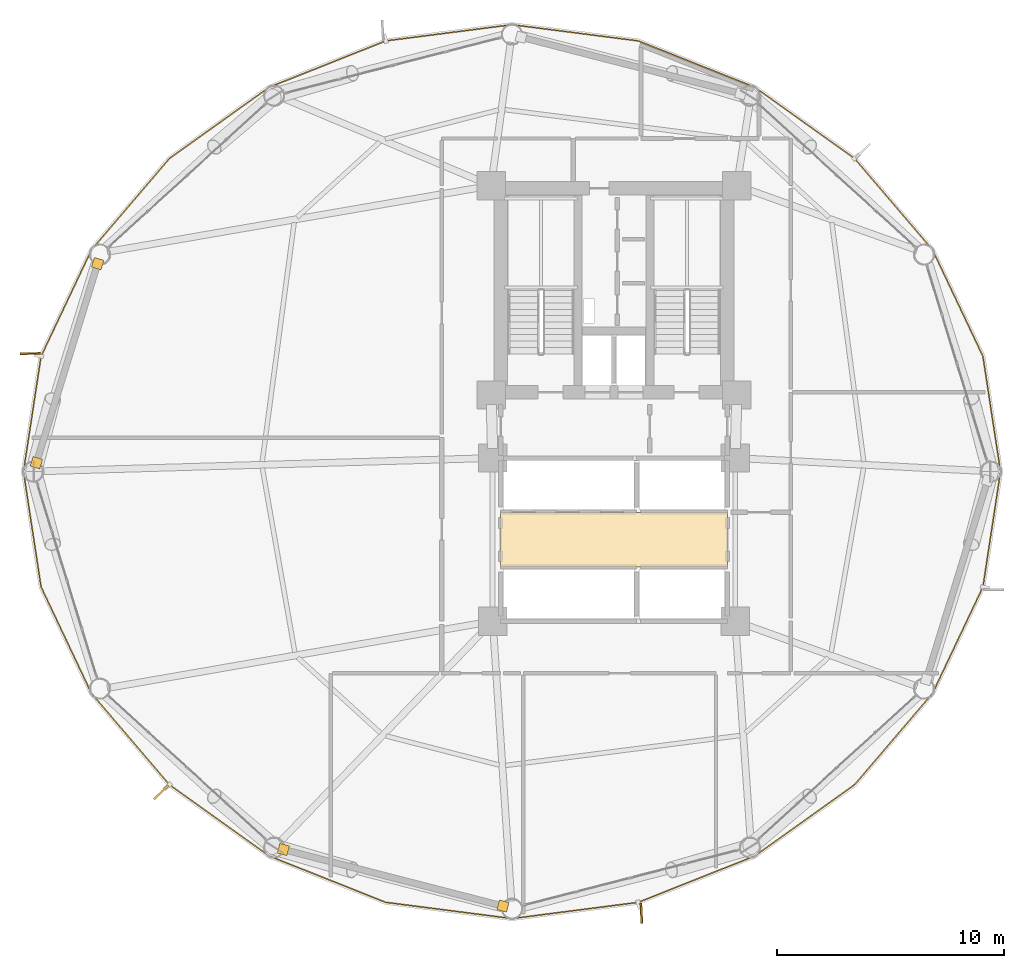
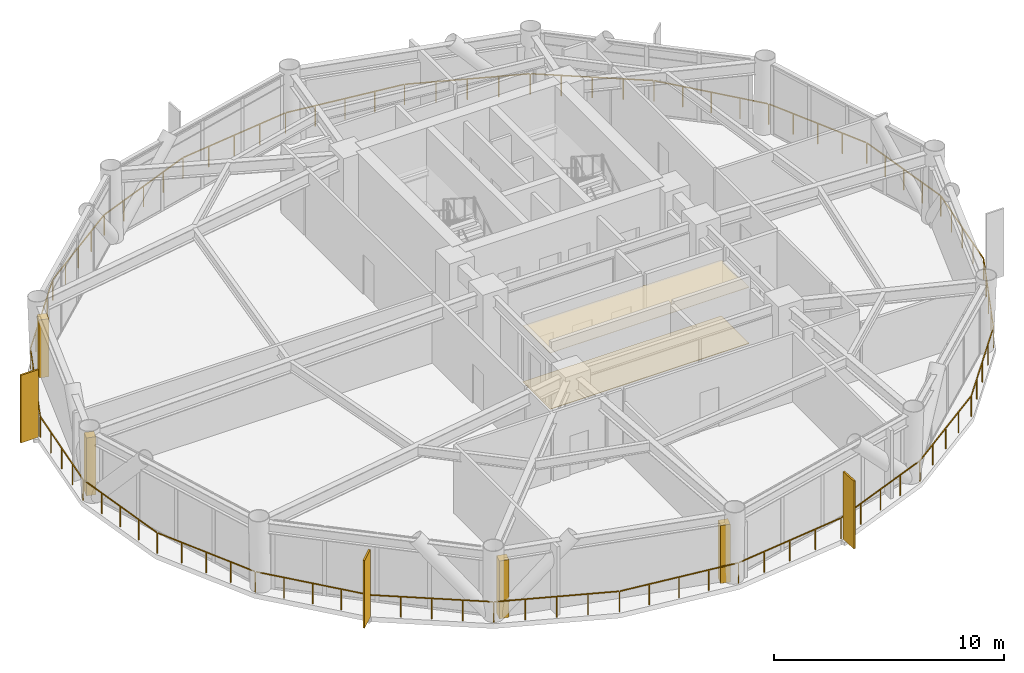
# One storey, part 24 of 26: 6 coverings, 3 shading devices, 1 railing.
"""IFC4 building model written with IfcOpenShell, lengths in metres."""

from ifc_helpers import new_model, si_unit, direction, frame, origin, origin_2d, place, context, subcontext, project, spatial, polyline, rectangle, outline, extrude, source, transform, mapped, material, layer, layer_set, type_object, type_shapes, element, save


model = new_model("IFC4")

# Units and contexts
model_context = context("Model", 3, precision=1e-05, world=origin(), true_north=direction((0.0, 1.0)))
body_context = subcontext(model_context, "Body", "Model", "MODEL_VIEW")
ifc_project = project(units=[si_unit("LENGTHUNIT", "METRE"), si_unit("AREAUNIT", "SQUARE_METRE"), si_unit("VOLUMEUNIT", "CUBIC_METRE"), si_unit("PLANEANGLEUNIT", "RADIAN"), si_unit("MASSUNIT", "GRAM", prefix="KILO")], contexts=[model_context])

# Site, building, storey
site_placement = place(None, origin())
site = spatial("IfcSite", under=ifc_project, at=site_placement, CompositionType="ELEMENT")
building_placement = place(site_placement, origin())
building = spatial("IfcBuilding", under=site, at=building_placement, Name="Varnakorn Sky Granary", CompositionType="ELEMENT")
storey_placement = place(building_placement, frame((0.0, 0.0, 51.0)))
storey = spatial("IfcBuildingStorey", under=building, at=storey_placement, Name="L12", CompositionType="ELEMENT", Elevation=51.0)

# Coverings
ifc_material_1 = material(Name="Perforated Acoustic Mineral-Fibre Ceiling", Category="gypsum")
ifc_layer_1 = layer(ifc_material_1, 0.02001953125, Name="Perforated Acoustic Mineral-Fibre Ceiling")
ifc_layer_set_1 = layer_set([ifc_layer_1], Name="Perforated Acoustic Mineral-Fibre Ceiling")
covering_type_1 = type_object("IfcCoveringType", Name="CV-CEIL-20", PredefinedType="CEILING", material=ifc_layer_set_1)
covering_1_placement = place(storey_placement, frame((0.0, 0.0, 2.989990234375)))
element("IfcCovering", 1, at=covering_1_placement, inside=storey, type_object=covering_type_1, Name="Lift Lobby Perforated Acoustic Ceiling L12", PredefinedType="CEILING", context=body_context, shape_type="SweptSolid", body=[
    extrude(outline(polyline([(-2.0, -4.199951171875), (8.0, -4.199951171875), (8.0, -1.800048828125), (-2.0, -1.800048828125), (-2.0, -4.199951171875)])), origin(), (0.0, 0.0, 1.0), 0.02001953125),
])
ifc_material_2 = material(Name="Honed Epoxy Terrazzo Topping", Category="concrete")
ifc_layer_2 = layer(ifc_material_2, 0.030029296875, Name="Honed Epoxy Terrazzo Topping")
ifc_layer_set_2 = layer_set([ifc_layer_2], Name="Honed Epoxy Terrazzo Topping")
covering_type_2 = type_object("IfcCoveringType", Name="CV-FLOR-30", PredefinedType="FLOORING", material=ifc_layer_set_2)
covering_2_placement = place(storey_placement, origin())
element("IfcCovering", 2, at=covering_2_placement, inside=storey, type_object=covering_type_2, Name="Lift Lobby Terrazzo Floor Finish L12", PredefinedType="FLOORING", context=body_context, shape_type="SweptSolid", body=[
    extrude(outline(polyline([(-2.0, -4.199951171875), (8.0, -4.199951171875), (8.0, -1.800048828125), (-2.0, -1.800048828125), (-2.0, -4.199951171875)])), origin(), (0.0, 0.0, 1.0), 0.030029296875),
])

# Railing
ifc_material_3 = material(Name="Anodised Bronze Aluminium Alloy 6063-T6", Category="aluminium")
railing_type = type_object("IfcRailingType", Name="RL-BAL-1120", PredefinedType="BALUSTRADE", material=ifc_material_3)
railing_placement = place(storey_placement, frame((20.056884765625, 0.0, 0.0)))
element("IfcRailing", 3, at=railing_placement, inside=storey, type_object=railing_type, Name="Perimeter Slab-Edge Safety Guard L12", PredefinedType="BALUSTRADE", context=body_context, shape_type="SweptSolid", body=[
    extrude(rectangle(XDim=0.048095703125, YDim=0.048095703125, at=origin_2d()), frame((-0.004150390625, -0.027587890625, 1.09619140625), z_axis=(-0.150895388181, -0.988549736647, 0.0), x_axis=(0.988549736647, -0.150895388181, 0.0)), (0.0, 0.0, 1.0), 5.09228515625),
    extrude(rectangle(XDim=0.048095703125, YDim=0.048095703125, at=origin_2d()), frame((-0.788818359375, -5.11474609375, 1.09619140625), z_axis=(-0.427936995433, -0.903808568193, 0.0), x_axis=(0.903808568193, -0.427936995433, 0.0)), (0.0, 0.0, 1.0), 5.14404296875),
    extrude(rectangle(XDim=0.048095703125, YDim=0.048095703125, at=origin_2d()), frame((-3.020263671875, -9.810546875, 1.09619140625), z_axis=(-0.649110729345, -0.760693933885, 0.0), x_axis=(0.760693933885, -0.649110729345, 0.0)), (0.0, 0.0, 1.0), 5.23681640625),
    extrude(rectangle(XDim=0.048095703125, YDim=0.048095703125, at=origin_2d()), frame((-6.46044921875, -13.831787109375, 1.09619140625), z_axis=(-0.813776126016, -0.581178472353, 0.0), x_axis=(0.581178472353, -0.813776126016, 0.0)), (0.0, 0.0, 1.0), 5.35791015625),
    extrude(rectangle(XDim=0.048095703125, YDim=0.048095703125, at=origin_2d()), frame((-10.86962890625, -16.97216796875, 1.09619140625), z_axis=(-0.929298599984, -0.369329273234, 0.0), x_axis=(0.369329273234, -0.929298599984, 0.0)), (0.0, 0.0, 1.0), 5.480224609375),
    extrude(rectangle(XDim=0.048095703125, YDim=0.048095703125, at=origin_2d()), frame((-16.01611328125, -19.01025390625, 1.09619140625), z_axis=(-0.991844494389, -0.127453909117, 0.0), x_axis=(0.127453909117, -0.991844494389, 0.0)), (0.0, 0.0, 1.0), 5.558349609375),
    extrude(rectangle(XDim=0.048095703125, YDim=0.048095703125, at=origin_2d()), frame((-21.584716796875, -19.718505859375, 1.09619140625), z_axis=(-0.991844494389, 0.127453909117, 0.0), x_axis=(-0.127453909117, -0.991844494389, 0.0)), (0.0, 0.0, 1.0), 5.558349609375),
    extrude(rectangle(XDim=0.048095703125, YDim=0.048095703125, at=origin_2d()), frame((-27.151611328125, -18.996337890625, 1.09619140625), z_axis=(-0.929298599984, 0.369329273234, 0.0), x_axis=(-0.369329273234, -0.929298599984, 0.0)), (0.0, 0.0, 1.0), 5.480224609375),
    extrude(rectangle(XDim=0.048095703125, YDim=0.048095703125, at=origin_2d()), frame((-32.29296875, -16.945556640625, 1.09619140625), z_axis=(-0.813776126016, 0.581178472353, 0.0), x_axis=(-0.581178472353, -0.813776126016, 0.0)), (0.0, 0.0, 1.0), 5.35791015625),
    extrude(rectangle(XDim=0.048095703125, YDim=0.048095703125, at=origin_2d()), frame((-36.694091796875, -13.794189453125, 1.09619140625), z_axis=(-0.649110729345, 0.760693933885, 0.0), x_axis=(-0.760693933885, -0.649110729345, 0.0)), (0.0, 0.0, 1.0), 5.23681640625),
    extrude(rectangle(XDim=0.048095703125, YDim=0.048095703125, at=origin_2d()), frame((-40.12353515625, -9.763916015625, 1.09619140625), z_axis=(-0.427936995433, 0.903808568193, 0.0), x_axis=(-0.903808568193, -0.427936995433, 0.0)), (0.0, 0.0, 1.0), 5.14404296875),
    extrude(rectangle(XDim=0.048095703125, YDim=0.048095703125, at=origin_2d()), frame((-42.341064453125, -5.061767578125, 1.09619140625), z_axis=(-0.150895388181, 0.988549736647, 0.0), x_axis=(-0.988549736647, -0.150895388181, 0.0)), (0.0, 0.0, 1.0), 5.09228515625),
    extrude(rectangle(XDim=0.048095703125, YDim=0.048095703125, at=origin_2d()), frame((-43.109619140625, 0.027587890625, 1.09619140625), z_axis=(0.150895388181, 0.988549736647, 0.0), x_axis=(-0.988549736647, 0.150895388181, 0.0)), (0.0, 0.0, 1.0), 5.09228515625),
    extrude(rectangle(XDim=0.048095703125, YDim=0.048095703125, at=origin_2d()), frame((-42.324951171875, 5.11474609375, 1.09619140625), z_axis=(0.427936995433, 0.903808568193, 0.0), x_axis=(-0.903808568193, 0.427936995433, 0.0)), (0.0, 0.0, 1.0), 5.14404296875),
    extrude(rectangle(XDim=0.048095703125, YDim=0.048095703125, at=origin_2d()), frame((-40.093505859375, 9.810546875, 1.09619140625), z_axis=(0.649110729345, 0.760693933885, 0.0), x_axis=(-0.760693933885, 0.649110729345, 0.0)), (0.0, 0.0, 1.0), 5.23681640625),
    extrude(rectangle(XDim=0.048095703125, YDim=0.048095703125, at=origin_2d()), frame((-36.6533203125, 13.831787109375, 1.09619140625), z_axis=(0.813776126016, 0.581178472353, 0.0), x_axis=(-0.581178472353, 0.813776126016, 0.0)), (0.0, 0.0, 1.0), 5.35791015625),
    extrude(rectangle(XDim=0.048095703125, YDim=0.048095703125, at=origin_2d()), frame((-32.244140625, 16.97216796875, 1.09619140625), z_axis=(0.929298599984, 0.369329273234, 0.0), x_axis=(-0.369329273234, 0.929298599984, 0.0)), (0.0, 0.0, 1.0), 5.480224609375),
    extrude(rectangle(XDim=0.048095703125, YDim=0.048095703125, at=origin_2d()), frame((-27.09765625, 19.01025390625, 1.09619140625), z_axis=(0.991844494389, 0.127453909117, 0.0), x_axis=(-0.127453909117, 0.991844494389, 0.0)), (0.0, 0.0, 1.0), 5.558349609375),
    extrude(rectangle(XDim=0.048095703125, YDim=0.048095703125, at=origin_2d()), frame((-21.529052734375, 19.718505859375, 1.09619140625), z_axis=(0.991844494389, -0.127453909117, 0.0), x_axis=(0.127453909117, 0.991844494389, 0.0)), (0.0, 0.0, 1.0), 5.558349609375),
    extrude(rectangle(XDim=0.048095703125, YDim=0.048095703125, at=origin_2d()), frame((-15.962158203125, 18.996337890625, 1.09619140625), z_axis=(0.929298599984, -0.369329273234, 0.0), x_axis=(0.369329273234, 0.929298599984, 0.0)), (0.0, 0.0, 1.0), 5.480224609375),
    extrude(rectangle(XDim=0.048095703125, YDim=0.048095703125, at=origin_2d()), frame((-10.82080078125, 16.945556640625, 1.09619140625), z_axis=(0.813776126016, -0.581178472353, 0.0), x_axis=(0.581178472353, 0.813776126016, 0.0)), (0.0, 0.0, 1.0), 5.35791015625),
    extrude(rectangle(XDim=0.048095703125, YDim=0.048095703125, at=origin_2d()), frame((-6.419677734375, 13.794189453125, 1.09619140625), z_axis=(0.649110729345, -0.760693933885, 0.0), x_axis=(0.760693933885, 0.649110729345, 0.0)), (0.0, 0.0, 1.0), 5.23681640625),
    extrude(rectangle(XDim=0.048095703125, YDim=0.048095703125, at=origin_2d()), frame((-2.990234375, 9.763916015625, 1.09619140625), z_axis=(0.427936995433, -0.903808568193, 0.0), x_axis=(0.903808568193, 0.427936995433, 0.0)), (0.0, 0.0, 1.0), 5.14404296875),
    extrude(rectangle(XDim=0.048095703125, YDim=0.048095703125, at=origin_2d()), frame((-0.772705078125, 5.061767578125, 1.09619140625), z_axis=(0.150895388181, -0.988549736647, 0.0), x_axis=(0.988549736647, 0.150895388181, 0.0)), (0.0, 0.0, 1.0), 5.09228515625),
    extrude(rectangle(XDim=0.0419921875, YDim=0.0419921875, at=origin_2d()), origin(), (0.0, 0.0, 1.0), 1.068115234375),
    extrude(rectangle(XDim=0.0419921875, YDim=0.0419921875, at=origin_2d()), frame((-0.1943359375, -1.2724609375, 0.0)), (0.0, 0.0, 1.0), 1.068115234375),
    extrude(rectangle(XDim=0.0419921875, YDim=0.0419921875, at=origin_2d()), frame((-0.388427734375, -2.544677734375, 0.0)), (0.0, 0.0, 1.0), 1.068115234375),
    extrude(rectangle(XDim=0.0419921875, YDim=0.0419921875, at=origin_2d()), frame((-0.58251953125, -3.81689453125, 0.0)), (0.0, 0.0, 1.0), 1.068115234375),
    extrude(rectangle(XDim=0.0419921875, YDim=0.0419921875, at=origin_2d()), frame((-0.77685546875, -5.08935546875, 0.0)), (0.0, 0.0, 1.0), 1.068115234375),
    extrude(rectangle(XDim=0.0419921875, YDim=0.0419921875, at=origin_2d()), frame((-1.333251953125, -6.264404296875, 0.0)), (0.0, 0.0, 1.0), 1.068115234375),
    extrude(rectangle(XDim=0.0419921875, YDim=0.0419921875, at=origin_2d()), frame((-1.8896484375, -7.439453125, 0.0)), (0.0, 0.0, 1.0), 1.068115234375),
    extrude(rectangle(XDim=0.0419921875, YDim=0.0419921875, at=origin_2d()), frame((-2.44580078125, -8.6142578125, 0.0)), (0.0, 0.0, 1.0), 1.068115234375),
    extrude(rectangle(XDim=0.0419921875, YDim=0.0419921875, at=origin_2d()), frame((-3.002197265625, -9.789306640625, 0.0)), (0.0, 0.0, 1.0), 1.068115234375),
    extrude(rectangle(XDim=0.0419921875, YDim=0.0419921875, at=origin_2d()), frame((-3.861083984375, -10.7958984375, 0.0)), (0.0, 0.0, 1.0), 1.068115234375),
    extrude(rectangle(XDim=0.0419921875, YDim=0.0419921875, at=origin_2d()), frame((-4.719970703125, -11.80224609375, 0.0)), (0.0, 0.0, 1.0), 1.068115234375),
    extrude(rectangle(XDim=0.0419921875, YDim=0.0419921875, at=origin_2d()), frame((-5.578857421875, -12.808837890625, 0.0)), (0.0, 0.0, 1.0), 1.068115234375),
    extrude(rectangle(XDim=0.0419921875, YDim=0.0419921875, at=origin_2d()), frame((-6.437744140625, -13.8154296875, 0.0)), (0.0, 0.0, 1.0), 1.068115234375),
    extrude(rectangle(XDim=0.0419921875, YDim=0.0419921875, at=origin_2d()), frame((-7.5390625, -14.60205078125, 0.0)), (0.0, 0.0, 1.0), 1.068115234375),
    extrude(rectangle(XDim=0.0419921875, YDim=0.0419921875, at=origin_2d()), frame((-8.640625, -15.388671875, 0.0)), (0.0, 0.0, 1.0), 1.068115234375),
    extrude(rectangle(XDim=0.0419921875, YDim=0.0419921875, at=origin_2d()), frame((-9.7421875, -16.17529296875, 0.0)), (0.0, 0.0, 1.0), 1.068115234375),
    extrude(rectangle(XDim=0.0419921875, YDim=0.0419921875, at=origin_2d()), frame((-10.843505859375, -16.9619140625, 0.0)), (0.0, 0.0, 1.0), 1.068115234375),
    extrude(rectangle(XDim=0.0419921875, YDim=0.0419921875, at=origin_2d()), frame((-12.129638671875, -17.47314453125, 0.0)), (0.0, 0.0, 1.0), 1.068115234375),
    extrude(rectangle(XDim=0.0419921875, YDim=0.0419921875, at=origin_2d()), frame((-13.416015625, -17.984375, 0.0)), (0.0, 0.0, 1.0), 1.068115234375),
    extrude(rectangle(XDim=0.0419921875, YDim=0.0419921875, at=origin_2d()), frame((-14.7021484375, -18.495361328125, 0.0)), (0.0, 0.0, 1.0), 1.068115234375),
    extrude(rectangle(XDim=0.0419921875, YDim=0.0419921875, at=origin_2d()), frame((-15.98828125, -19.006591796875, 0.0)), (0.0, 0.0, 1.0), 1.068115234375),
    extrude(rectangle(XDim=0.0419921875, YDim=0.0419921875, at=origin_2d()), frame((-17.38037109375, -19.185546875, 0.0)), (0.0, 0.0, 1.0), 1.068115234375),
    extrude(rectangle(XDim=0.0419921875, YDim=0.0419921875, at=origin_2d()), frame((-18.7724609375, -19.3642578125, 0.0)), (0.0, 0.0, 1.0), 1.068115234375),
    extrude(rectangle(XDim=0.0419921875, YDim=0.0419921875, at=origin_2d()), frame((-20.164794921875, -19.543212890625, 0.0)), (0.0, 0.0, 1.0), 1.068115234375),
    extrude(rectangle(XDim=0.0419921875, YDim=0.0419921875, at=origin_2d()), frame((-21.556884765625, -19.72216796875, 0.0)), (0.0, 0.0, 1.0), 1.068115234375),
    extrude(rectangle(XDim=0.0419921875, YDim=0.0419921875, at=origin_2d()), frame((-22.948974609375, -19.543212890625, 0.0)), (0.0, 0.0, 1.0), 1.068115234375),
    extrude(rectangle(XDim=0.0419921875, YDim=0.0419921875, at=origin_2d()), frame((-24.34130859375, -19.3642578125, 0.0)), (0.0, 0.0, 1.0), 1.068115234375),
    extrude(rectangle(XDim=0.0419921875, YDim=0.0419921875, at=origin_2d()), frame((-25.7333984375, -19.185546875, 0.0)), (0.0, 0.0, 1.0), 1.068115234375),
    extrude(rectangle(XDim=0.0419921875, YDim=0.0419921875, at=origin_2d()), frame((-27.12548828125, -19.006591796875, 0.0)), (0.0, 0.0, 1.0), 1.068115234375),
    extrude(rectangle(XDim=0.0419921875, YDim=0.0419921875, at=origin_2d()), frame((-28.41162109375, -18.495361328125, 0.0)), (0.0, 0.0, 1.0), 1.068115234375),
    extrude(rectangle(XDim=0.0419921875, YDim=0.0419921875, at=origin_2d()), frame((-29.69775390625, -17.984375, 0.0)), (0.0, 0.0, 1.0), 1.068115234375),
    extrude(rectangle(XDim=0.0419921875, YDim=0.0419921875, at=origin_2d()), frame((-30.984130859375, -17.47314453125, 0.0)), (0.0, 0.0, 1.0), 1.068115234375),
    extrude(rectangle(XDim=0.0419921875, YDim=0.0419921875, at=origin_2d()), frame((-32.270263671875, -16.9619140625, 0.0)), (0.0, 0.0, 1.0), 1.068115234375),
    extrude(rectangle(XDim=0.0419921875, YDim=0.0419921875, at=origin_2d()), frame((-33.37158203125, -16.17529296875, 0.0)), (0.0, 0.0, 1.0), 1.068115234375),
    extrude(rectangle(XDim=0.0419921875, YDim=0.0419921875, at=origin_2d()), frame((-34.47314453125, -15.388671875, 0.0)), (0.0, 0.0, 1.0), 1.068115234375),
    extrude(rectangle(XDim=0.0419921875, YDim=0.0419921875, at=origin_2d()), frame((-35.57470703125, -14.60205078125, 0.0)), (0.0, 0.0, 1.0), 1.068115234375),
    extrude(rectangle(XDim=0.0419921875, YDim=0.0419921875, at=origin_2d()), frame((-36.676025390625, -13.8154296875, 0.0)), (0.0, 0.0, 1.0), 1.068115234375),
    extrude(rectangle(XDim=0.0419921875, YDim=0.0419921875, at=origin_2d()), frame((-37.534912109375, -12.808837890625, 0.0)), (0.0, 0.0, 1.0), 1.068115234375),
    extrude(rectangle(XDim=0.0419921875, YDim=0.0419921875, at=origin_2d()), frame((-38.393798828125, -11.80224609375, 0.0)), (0.0, 0.0, 1.0), 1.068115234375),
    extrude(rectangle(XDim=0.0419921875, YDim=0.0419921875, at=origin_2d()), frame((-39.252685546875, -10.7958984375, 0.0)), (0.0, 0.0, 1.0), 1.068115234375),
    extrude(rectangle(XDim=0.0419921875, YDim=0.0419921875, at=origin_2d()), frame((-40.111572265625, -9.789306640625, 0.0)), (0.0, 0.0, 1.0), 1.068115234375),
    extrude(rectangle(XDim=0.0419921875, YDim=0.0419921875, at=origin_2d()), frame((-40.66796875, -8.6142578125, 0.0)), (0.0, 0.0, 1.0), 1.068115234375),
    extrude(rectangle(XDim=0.0419921875, YDim=0.0419921875, at=origin_2d()), frame((-41.22412109375, -7.439453125, 0.0)), (0.0, 0.0, 1.0), 1.068115234375),
    extrude(rectangle(XDim=0.0419921875, YDim=0.0419921875, at=origin_2d()), frame((-41.780517578125, -6.264404296875, 0.0)), (0.0, 0.0, 1.0), 1.068115234375),
    extrude(rectangle(XDim=0.0419921875, YDim=0.0419921875, at=origin_2d()), frame((-42.3369140625, -5.08935546875, 0.0)), (0.0, 0.0, 1.0), 1.068115234375),
    extrude(rectangle(XDim=0.0419921875, YDim=0.0419921875, at=origin_2d()), frame((-42.53125, -3.81689453125, 0.0)), (0.0, 0.0, 1.0), 1.068115234375),
    extrude(rectangle(XDim=0.0419921875, YDim=0.0419921875, at=origin_2d()), frame((-42.725341796875, -2.544677734375, 0.0)), (0.0, 0.0, 1.0), 1.068115234375),
    extrude(rectangle(XDim=0.0419921875, YDim=0.0419921875, at=origin_2d()), frame((-42.91943359375, -1.2724609375, 0.0)), (0.0, 0.0, 1.0), 1.068115234375),
    extrude(rectangle(XDim=0.0419921875, YDim=0.0419921875, at=origin_2d()), frame((-43.11376953125, 0.0, 0.0)), (0.0, 0.0, 1.0), 1.068115234375),
    extrude(rectangle(XDim=0.0419921875, YDim=0.0419921875, at=origin_2d()), frame((-42.91943359375, 1.2724609375, 0.0)), (0.0, 0.0, 1.0), 1.068115234375),
    extrude(rectangle(XDim=0.0419921875, YDim=0.0419921875, at=origin_2d()), frame((-42.725341796875, 2.544677734375, 0.0)), (0.0, 0.0, 1.0), 1.068115234375),
    extrude(rectangle(XDim=0.0419921875, YDim=0.0419921875, at=origin_2d()), frame((-42.53125, 3.81689453125, 0.0)), (0.0, 0.0, 1.0), 1.068115234375),
    extrude(rectangle(XDim=0.0419921875, YDim=0.0419921875, at=origin_2d()), frame((-42.3369140625, 5.08935546875, 0.0)), (0.0, 0.0, 1.0), 1.068115234375),
    extrude(rectangle(XDim=0.0419921875, YDim=0.0419921875, at=origin_2d()), frame((-41.780517578125, 6.264404296875, 0.0)), (0.0, 0.0, 1.0), 1.068115234375),
    extrude(rectangle(XDim=0.0419921875, YDim=0.0419921875, at=origin_2d()), frame((-41.22412109375, 7.439453125, 0.0)), (0.0, 0.0, 1.0), 1.068115234375),
    extrude(rectangle(XDim=0.0419921875, YDim=0.0419921875, at=origin_2d()), frame((-40.66796875, 8.6142578125, 0.0)), (0.0, 0.0, 1.0), 1.068115234375),
    extrude(rectangle(XDim=0.0419921875, YDim=0.0419921875, at=origin_2d()), frame((-40.111572265625, 9.789306640625, 0.0)), (0.0, 0.0, 1.0), 1.068115234375),
    extrude(rectangle(XDim=0.0419921875, YDim=0.0419921875, at=origin_2d()), frame((-39.252685546875, 10.7958984375, 0.0)), (0.0, 0.0, 1.0), 1.068115234375),
    extrude(rectangle(XDim=0.0419921875, YDim=0.0419921875, at=origin_2d()), frame((-38.393798828125, 11.80224609375, 0.0)), (0.0, 0.0, 1.0), 1.068115234375),
    extrude(rectangle(XDim=0.0419921875, YDim=0.0419921875, at=origin_2d()), frame((-37.534912109375, 12.808837890625, 0.0)), (0.0, 0.0, 1.0), 1.068115234375),
    extrude(rectangle(XDim=0.0419921875, YDim=0.0419921875, at=origin_2d()), frame((-36.676025390625, 13.8154296875, 0.0)), (0.0, 0.0, 1.0), 1.068115234375),
    extrude(rectangle(XDim=0.0419921875, YDim=0.0419921875, at=origin_2d()), frame((-35.57470703125, 14.60205078125, 0.0)), (0.0, 0.0, 1.0), 1.068115234375),
    extrude(rectangle(XDim=0.0419921875, YDim=0.0419921875, at=origin_2d()), frame((-34.47314453125, 15.388671875, 0.0)), (0.0, 0.0, 1.0), 1.068115234375),
    extrude(rectangle(XDim=0.0419921875, YDim=0.0419921875, at=origin_2d()), frame((-33.37158203125, 16.17529296875, 0.0)), (0.0, 0.0, 1.0), 1.068115234375),
    extrude(rectangle(XDim=0.0419921875, YDim=0.0419921875, at=origin_2d()), frame((-32.270263671875, 16.9619140625, 0.0)), (0.0, 0.0, 1.0), 1.068115234375),
    extrude(rectangle(XDim=0.0419921875, YDim=0.0419921875, at=origin_2d()), frame((-30.984130859375, 17.47314453125, 0.0)), (0.0, 0.0, 1.0), 1.068115234375),
    extrude(rectangle(XDim=0.0419921875, YDim=0.0419921875, at=origin_2d()), frame((-29.69775390625, 17.984375, 0.0)), (0.0, 0.0, 1.0), 1.068115234375),
    extrude(rectangle(XDim=0.0419921875, YDim=0.0419921875, at=origin_2d()), frame((-28.41162109375, 18.495361328125, 0.0)), (0.0, 0.0, 1.0), 1.068115234375),
    extrude(rectangle(XDim=0.0419921875, YDim=0.0419921875, at=origin_2d()), frame((-27.12548828125, 19.006591796875, 0.0)), (0.0, 0.0, 1.0), 1.068115234375),
    extrude(rectangle(XDim=0.0419921875, YDim=0.0419921875, at=origin_2d()), frame((-25.7333984375, 19.185546875, 0.0)), (0.0, 0.0, 1.0), 1.068115234375),
    extrude(rectangle(XDim=0.0419921875, YDim=0.0419921875, at=origin_2d()), frame((-24.34130859375, 19.3642578125, 0.0)), (0.0, 0.0, 1.0), 1.068115234375),
    extrude(rectangle(XDim=0.0419921875, YDim=0.0419921875, at=origin_2d()), frame((-22.948974609375, 19.543212890625, 0.0)), (0.0, 0.0, 1.0), 1.068115234375),
    extrude(rectangle(XDim=0.0419921875, YDim=0.0419921875, at=origin_2d()), frame((-21.556884765625, 19.72216796875, 0.0)), (0.0, 0.0, 1.0), 1.068115234375),
    extrude(rectangle(XDim=0.0419921875, YDim=0.0419921875, at=origin_2d()), frame((-20.164794921875, 19.543212890625, 0.0)), (0.0, 0.0, 1.0), 1.068115234375),
    extrude(rectangle(XDim=0.0419921875, YDim=0.0419921875, at=origin_2d()), frame((-18.7724609375, 19.3642578125, 0.0)), (0.0, 0.0, 1.0), 1.068115234375),
    extrude(rectangle(XDim=0.0419921875, YDim=0.0419921875, at=origin_2d()), frame((-17.38037109375, 19.185546875, 0.0)), (0.0, 0.0, 1.0), 1.068115234375),
    extrude(rectangle(XDim=0.0419921875, YDim=0.0419921875, at=origin_2d()), frame((-15.98828125, 19.006591796875, 0.0)), (0.0, 0.0, 1.0), 1.068115234375),
    extrude(rectangle(XDim=0.0419921875, YDim=0.0419921875, at=origin_2d()), frame((-14.7021484375, 18.495361328125, 0.0)), (0.0, 0.0, 1.0), 1.068115234375),
    extrude(rectangle(XDim=0.0419921875, YDim=0.0419921875, at=origin_2d()), frame((-13.416015625, 17.984375, 0.0)), (0.0, 0.0, 1.0), 1.068115234375),
    extrude(rectangle(XDim=0.0419921875, YDim=0.0419921875, at=origin_2d()), frame((-12.129638671875, 17.47314453125, 0.0)), (0.0, 0.0, 1.0), 1.068115234375),
    extrude(rectangle(XDim=0.0419921875, YDim=0.0419921875, at=origin_2d()), frame((-10.843505859375, 16.9619140625, 0.0)), (0.0, 0.0, 1.0), 1.068115234375),
    extrude(rectangle(XDim=0.0419921875, YDim=0.0419921875, at=origin_2d()), frame((-9.7421875, 16.17529296875, 0.0)), (0.0, 0.0, 1.0), 1.068115234375),
    extrude(rectangle(XDim=0.0419921875, YDim=0.0419921875, at=origin_2d()), frame((-8.640625, 15.388671875, 0.0)), (0.0, 0.0, 1.0), 1.068115234375),
    extrude(rectangle(XDim=0.0419921875, YDim=0.0419921875, at=origin_2d()), frame((-7.5390625, 14.60205078125, 0.0)), (0.0, 0.0, 1.0), 1.068115234375),
    extrude(rectangle(XDim=0.0419921875, YDim=0.0419921875, at=origin_2d()), frame((-6.437744140625, 13.8154296875, 0.0)), (0.0, 0.0, 1.0), 1.068115234375),
    extrude(rectangle(XDim=0.0419921875, YDim=0.0419921875, at=origin_2d()), frame((-5.578857421875, 12.808837890625, 0.0)), (0.0, 0.0, 1.0), 1.068115234375),
    extrude(rectangle(XDim=0.0419921875, YDim=0.0419921875, at=origin_2d()), frame((-4.719970703125, 11.80224609375, 0.0)), (0.0, 0.0, 1.0), 1.068115234375),
    extrude(rectangle(XDim=0.0419921875, YDim=0.0419921875, at=origin_2d()), frame((-3.861083984375, 10.7958984375, 0.0)), (0.0, 0.0, 1.0), 1.068115234375),
    extrude(rectangle(XDim=0.0419921875, YDim=0.0419921875, at=origin_2d()), frame((-3.002197265625, 9.789306640625, 0.0)), (0.0, 0.0, 1.0), 1.068115234375),
    extrude(rectangle(XDim=0.0419921875, YDim=0.0419921875, at=origin_2d()), frame((-2.44580078125, 8.6142578125, 0.0)), (0.0, 0.0, 1.0), 1.068115234375),
    extrude(rectangle(XDim=0.0419921875, YDim=0.0419921875, at=origin_2d()), frame((-1.8896484375, 7.439453125, 0.0)), (0.0, 0.0, 1.0), 1.068115234375),
    extrude(rectangle(XDim=0.0419921875, YDim=0.0419921875, at=origin_2d()), frame((-1.333251953125, 6.264404296875, 0.0)), (0.0, 0.0, 1.0), 1.068115234375),
    extrude(rectangle(XDim=0.0419921875, YDim=0.0419921875, at=origin_2d()), frame((-0.77685546875, 5.08935546875, 0.0)), (0.0, 0.0, 1.0), 1.068115234375),
    extrude(rectangle(XDim=0.0419921875, YDim=0.0419921875, at=origin_2d()), frame((-0.58251953125, 3.81689453125, 0.0)), (0.0, 0.0, 1.0), 1.068115234375),
    extrude(rectangle(XDim=0.0419921875, YDim=0.0419921875, at=origin_2d()), frame((-0.388427734375, 2.544677734375, 0.0)), (0.0, 0.0, 1.0), 1.068115234375),
    extrude(rectangle(XDim=0.0419921875, YDim=0.0419921875, at=origin_2d()), frame((-0.1943359375, 1.2724609375, 0.0)), (0.0, 0.0, 1.0), 1.068115234375),
])

# Shading devices
shading_device_type = type_object("IfcShadingDeviceType", Name="SH-FIN-01", PredefinedType="USERDEFINED", material=ifc_material_3)
shared_shape_1 = source(origin(), body_context, "Body", "SweptSolid", [
    extrude(rectangle(XDim=0.0849609375, YDim=0.8798828125, at=origin_2d()), origin(), (0.0, 0.0, 1.0), 3.60009765625),
])
type_shapes(shading_device_type, [shared_shape_1])
for number, where, z_axis, x_axis, name in (
    (4, (-22.765625, 5.211669921875, -0.0400390625), (0.0, 0.0, 1.0), (0.007270617003, -0.999973568715, 0.0), "Bronze Solar-Tracking Vertical Blade FIN L12-06"),
    (5, (-16.986083984375, -14.155517578125, -0.0400390625), (0.0, 0.0, 1.0), (0.692940750718, -0.720994532569, 0.0), "Bronze Solar-Tracking Vertical Blade FIN L12-08"),
    (6, (4.208984375, -19.4873046875, -0.0400390625), (0.0, 0.0, 1.0), (0.998756287386, 0.049858584084, 0.0), "Bronze Solar-Tracking Vertical Blade FIN L12-10"),
):
    element("IfcShadingDevice", number, at=place(storey_placement, frame(where, z_axis=z_axis, x_axis=x_axis)), inside=storey, type_object=shading_device_type, Name=name, ObjectType="FIN", PredefinedType="USERDEFINED", context=body_context, shape_type="MappedRepresentation", body=[
        mapped(shared_shape_1, transform((0.0, 0.0, 0.0), x_axis=(1.0, 0.0, 0.0), y_axis=(0.0, 1.0, 0.0), z_axis=(0.0, 0.0, 1.0), scale=1.0)),
    ])

# Coverings
ifc_layer_3 = layer(ifc_material_3, 0.050048828125, Name="Anodised Bronze Aluminium Alloy 6063-T6")
ifc_layer_set_3 = layer_set([ifc_layer_3], Name="Anodised Bronze Aluminium Alloy 6063-T6")
covering_type_3 = type_object("IfcCoveringType", Name="CV-CLAD-50", PredefinedType="CLADDING", material=ifc_layer_set_3)
shared_shape_2 = source(origin(), body_context, "Body", "SweptSolid", [
    extrude(rectangle(XDim=0.43994140625, YDim=0.43994140625, at=origin_2d()), origin(), (0.0, 0.0, 1.0), 3.080078125),
])
type_shapes(covering_type_3, [shared_shape_2])
for number, where, z_axis, x_axis, name in (
    (7, (-22.48681640625, 0.393798828125, -0.02001953125), (0.0, 0.0, 1.0), (0.294207138104, 0.955741680523, 0.0), "Bronze Corner Pilaster Closure L12-P06-A"),
    (8, (-19.784423828125, 9.17529296875, -0.02001953125), (0.0, 0.0, 1.0), (0.294207138104, 0.955741680523, 0.0), "Bronze Corner Pilaster Closure L12-P06-B"),
    (9, (-1.89892578125, -19.17041015625, -0.02001953125), (0.0, 0.0, 1.0), (-0.968452814643, 0.249197002009, 0.0), "Bronze Corner Pilaster Closure L12-P09-A"),
    (10, (-11.58740234375, -16.6767578125, -0.02001953125), (0.0, 0.0, 1.0), (-0.968452814643, 0.249197002009, 0.0), "Bronze Corner Pilaster Closure L12-P09-B"),
):
    element("IfcCovering", number, at=place(storey_placement, frame(where, z_axis=z_axis, x_axis=x_axis)), inside=storey, type_object=covering_type_3, Name=name, PredefinedType="CLADDING", context=body_context, shape_type="MappedRepresentation", body=[
        mapped(shared_shape_2, transform((0.0, 0.0, 0.0), x_axis=(1.0, 0.0, 0.0), y_axis=(0.0, 1.0, 0.0), z_axis=(0.0, 0.0, 1.0), scale=1.0)),
    ])

save(model, "model.ifc")
